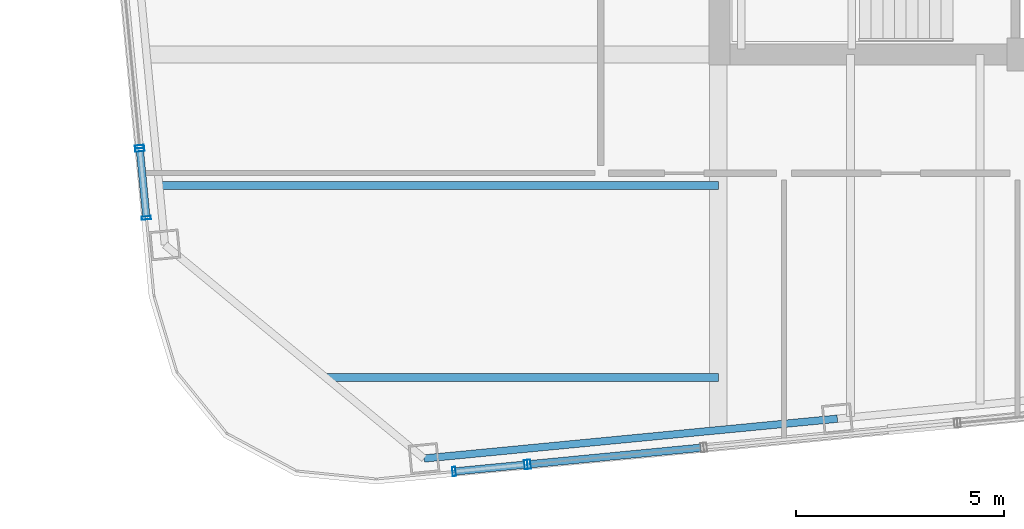
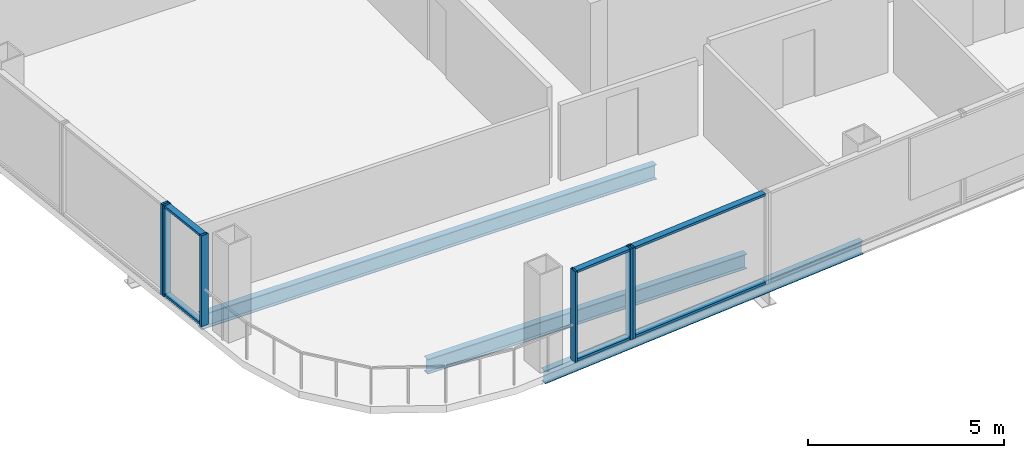
# One storey, part 2 of 22: 12 members, 3 beams, 4 elements without a shape of their own.
"""IFC4 building model written with IfcOpenShell, lengths in metres."""

from ifc_helpers import new_model, si_unit, direction, frame, origin, origin_2d, place, context, subcontext, project, spatial, hollow_rectangle, i_section, extrude, material, layer, layer_set, material_profile, profile_set, type_object, element, aggregate, save


model = new_model("IFC4")

# Units and contexts
model_context = context("Model", 3, precision=1e-05, world=origin(), true_north=direction((0.0, 1.0)))
body_context = subcontext(model_context, "Body", "Model", "MODEL_VIEW")
ifc_project = project(units=[si_unit("LENGTHUNIT", "METRE"), si_unit("AREAUNIT", "SQUARE_METRE"), si_unit("VOLUMEUNIT", "CUBIC_METRE"), si_unit("PLANEANGLEUNIT", "RADIAN"), si_unit("MASSUNIT", "GRAM", prefix="KILO")], contexts=[model_context])

# Site, building, storey
site_placement = place(None, origin())
site = spatial("IfcSite", under=ifc_project, at=site_placement, CompositionType="ELEMENT")
building_placement = place(site_placement, origin())
building = spatial("IfcBuilding", under=site, at=building_placement, Name="Qhalaya Broadcast Tower", CompositionType="ELEMENT")
storey_placement = place(building_placement, frame((0.0, 0.0, 171.39990234375)))
storey = spatial("IfcBuildingStorey", under=building, at=storey_placement, Name="L50", CompositionType="ELEMENT", Elevation=171.39990234375)

# Beams
ifc_material_1 = material(Name="Structural Steel ASTM A992 Grade 50", Category="steel")
ifc_material_profile_1 = material_profile(ifc_material_1, i_section(OverallWidth=0.19189453125, OverallDepth=0.462890625, WebThickness=0.010498046875, FlangeThickness=0.017578125, at=origin_2d()), Name="W18X60")
ifc_profile_set_1 = profile_set([ifc_material_profile_1], Name="Structural Steel ASTM A992 Grade 50")
beam_type_1 = type_object("IfcBeamType", Name="Composite Floor Joist J03", PredefinedType="JOIST", material=ifc_profile_set_1)
beam_1_placement = place(storey_placement, frame((-18.7734375, -16.5, -0.451416015625), z_axis=(1.0, 0.0, 0.0), x_axis=(0.0, 1.0, 0.0)))
element("IfcBeam", 1, at=beam_1_placement, inside=storey, type_object=beam_type_1, Name="L50 J03 L50-JWE1W-1", PredefinedType="JOIST", context=body_context, shape_type="SweptSolid", body=[
    extrude(i_section(OverallWidth=0.19189453125, OverallDepth=0.462890625, WebThickness=0.010498046875, FlangeThickness=0.017578125, at=origin_2d()), origin(), (0.0, 0.0, 1.0), 9.3984375),
])
beam_2_placement = place(storey_placement, frame((-22.77880859375, -11.89990234375, -0.451416015625), z_axis=(1.0, 0.0, 0.0), x_axis=(0.0, 1.0, 0.0)))
element("IfcBeam", 2, at=beam_2_placement, inside=storey, type_object=beam_type_1, Name="L50 J03 L50-JWE2W-1", PredefinedType="JOIST", context=body_context, shape_type="SweptSolid", body=[
    extrude(i_section(OverallWidth=0.19189453125, OverallDepth=0.462890625, WebThickness=0.010498046875, FlangeThickness=0.017578125, at=origin_2d()), origin(), (0.0, 0.0, 1.0), 13.40380859375),
])

# Curtain wall, members
ifc_material_2 = material(Name="Fired Architectural Terracotta", Category="masonry")
ifc_layer_1 = layer(ifc_material_2, 0.219970703125, Name="Fired Architectural Terracotta")
ifc_layer_set_1 = layer_set([ifc_layer_1], Name="Fired Architectural Terracotta")
curtain_wall_type_1 = type_object("IfcCurtainWallType", Name="Block-Cap Unitised Terracotta Spandrel Wall CW-07", PredefinedType="NOTDEFINED", material=ifc_layer_set_1)
curtain_wall_1_placement = place(storey_placement, origin())
curtain_wall_1 = element("IfcCurtainWall", 3, at=curtain_wall_1_placement, inside=storey, type_object=curtain_wall_type_1, Name="L50 Unitised Curtain Wall L50-CW-S1", PredefinedType="NOTDEFINED")
ifc_material_3 = material(Name="Anodised Aluminium 6063-T6", Category="aluminium")
ifc_material_profile_2 = material_profile(ifc_material_3, hollow_rectangle(XDim=0.074951171875, YDim=0.219970703125, WallThickness=0.00390625, at=origin_2d()), Name="ALU-MUL 75x220x4")
ifc_profile_set_2 = profile_set([ifc_material_profile_2], Name="Anodised Aluminium 6063-T6")
member_type_1 = type_object("IfcMemberType", Name="Unitised Curtain-Wall Mullion M01", PredefinedType="MULLION", material=ifc_profile_set_2)
member_1_placement = place(storey_placement, frame((-15.72119140625, -18.76025390625, 0.0), z_axis=(0.0, 0.0, 1.0), x_axis=(0.995395744559, 0.095850465381, 0.0)))
member_1 = element("IfcMember", 4, at=member_1_placement, type_object=member_type_1, Name="CW-07 mullion 1", PredefinedType="MULLION", context=body_context, shape_type="SweptSolid", body=[
    extrude(hollow_rectangle(XDim=0.074951171875, YDim=0.219970703125, WallThickness=0.00390625, at=origin_2d()), origin(), (0.0, 0.0, 1.0), 2.830078125),
])
member_2_placement = place(storey_placement, frame((-13.99609375, -18.593994140625, 0.0), z_axis=(0.0, 0.0, 1.0), x_axis=(0.995395744559, 0.095850465381, 0.0)))
member_2 = element("IfcMember", 5, at=member_2_placement, type_object=member_type_1, Name="CW-07 mullion 2", PredefinedType="MULLION", context=body_context, shape_type="SweptSolid", body=[
    extrude(hollow_rectangle(XDim=0.074951171875, YDim=0.219970703125, WallThickness=0.00390625, at=origin_2d()), origin(), (0.0, 0.0, 1.0), 2.830078125),
])

# Curtain wall, member
ifc_material_4 = material(Name="Solar-Control Low-E Triple Glazing", Category="glass")
ifc_layer_2 = layer(ifc_material_4, 0.219970703125, Name="Solar-Control Low-E Triple Glazing")
ifc_layer_set_2 = layer_set([ifc_layer_2], Name="Solar-Control Low-E Triple Glazing")
curtain_wall_type_2 = type_object("IfcCurtainWallType", Name="Even-Block 4-Storey Double-Module Curtain Wall CW-03", PredefinedType="NOTDEFINED", material=ifc_layer_set_2)
curtain_wall_2_placement = place(storey_placement, origin())
curtain_wall_2 = element("IfcCurtainWall", 6, at=curtain_wall_2_placement, inside=storey, type_object=curtain_wall_type_2, Name="L50 Unitised Curtain Wall L50-CW-S2", PredefinedType="NOTDEFINED")
member_3_placement = place(storey_placement, frame((-13.92138671875, -18.5869140625, 0.0), z_axis=(0.0, 0.0, 1.0), x_axis=(0.995397122956, 0.095836149814, 0.0)))
member_3 = element("IfcMember", 7, at=member_3_placement, type_object=member_type_1, Name="CW-03 mullion 1", PredefinedType="MULLION", context=body_context, shape_type="SweptSolid", body=[
    extrude(hollow_rectangle(XDim=0.074951171875, YDim=0.219970703125, WallThickness=0.00390625, at=origin_2d()), origin(), (0.0, 0.0, 1.0), 2.830078125),
])

curtain_wall_3_placement = place(storey_placement, origin())
curtain_wall_3 = element("IfcCurtainWall", 8, at=curtain_wall_3_placement, inside=storey, type_object=curtain_wall_type_2, Name="L50 Unitised Curtain Wall L50-CW-W6", PredefinedType="NOTDEFINED")
member_4_placement = place(storey_placement, frame((-23.2705078125, -10.96533203125, 0.0), z_axis=(0.0, 0.0, 1.0), x_axis=(0.095832224028, -0.99539750092, 0.0)))
member_4 = element("IfcMember", 9, at=member_4_placement, type_object=member_type_1, Name="CW-03 mullion 2", PredefinedType="MULLION", context=body_context, shape_type="SweptSolid", body=[
    extrude(hollow_rectangle(XDim=0.074951171875, YDim=0.219970703125, WallThickness=0.00390625, at=origin_2d()), origin(), (0.0, 0.0, 1.0), 2.830078125),
])
aggregate(curtain_wall_3, [member_4])

# Curtain wall, members
curtain_wall_4_placement = place(storey_placement, origin())
curtain_wall_4 = element("IfcCurtainWall", 10, at=curtain_wall_4_placement, inside=storey, type_object=curtain_wall_type_1, Name="L50 Unitised Curtain Wall L50-CW-W7", PredefinedType="NOTDEFINED")
member_5_placement = place(storey_placement, frame((-23.263427734375, -11.0400390625, 0.0), z_axis=(0.0, 0.0, 1.0), x_axis=(0.095860176134, -0.995394809426, 0.0)))
member_5 = element("IfcMember", 11, at=member_5_placement, type_object=member_type_1, Name="CW-07 mullion 1", PredefinedType="MULLION", context=body_context, shape_type="SweptSolid", body=[
    extrude(hollow_rectangle(XDim=0.074951171875, YDim=0.219970703125, WallThickness=0.00390625, at=origin_2d()), origin(), (0.0, 0.0, 1.0), 2.830078125),
])
member_6_placement = place(storey_placement, frame((-23.106201171875, -12.67236328125, 0.0), z_axis=(0.0, 0.0, 1.0), x_axis=(0.095860176134, -0.995394809426, 0.0)))
member_6 = element("IfcMember", 12, at=member_6_placement, type_object=member_type_1, Name="CW-07 mullion 2", PredefinedType="MULLION", context=body_context, shape_type="SweptSolid", body=[
    extrude(hollow_rectangle(XDim=0.074951171875, YDim=0.219970703125, WallThickness=0.00390625, at=origin_2d()), origin(), (0.0, 0.0, 1.0), 2.830078125),
])

# Member
ifc_material_profile_3 = material_profile(ifc_material_3, hollow_rectangle(XDim=0.074951171875, YDim=0.179931640625, WallThickness=0.00390625, at=origin_2d()), Name="ALU-TRN 75x180x4")
ifc_profile_set_3 = profile_set([ifc_material_profile_3], Name="Anodised Aluminium 6063-T6")
member_type_2 = type_object("IfcMemberType", Name="Unitised Curtain-Wall Transom T01", PredefinedType="USERDEFINED", material=ifc_profile_set_3)
member_7_placement = place(storey_placement, frame((-15.683837890625, -18.756591796875, 0.03759765625), z_axis=(0.995394989671, 0.095858304479, 0.0), x_axis=(0.0, 0.0, 1.0)))
member_7 = element("IfcMember", 13, at=member_7_placement, type_object=member_type_2, Name="CW-07 transom 1.1", ObjectType="TRANSOM", PredefinedType="USERDEFINED", context=body_context, shape_type="SweptSolid", body=[
    extrude(hollow_rectangle(XDim=0.074951171875, YDim=0.179931640625, WallThickness=0.00390625, at=origin_2d()), origin(), (0.0, 0.0, 1.0), 1.657958984375),
])

member_8_placement = place(storey_placement, frame((-15.683837890625, -18.756591796875, 2.79248046875), z_axis=(0.995394989671, 0.095858304479, 0.0), x_axis=(0.0, 0.0, 1.0)))
member_8 = element("IfcMember", 14, at=member_8_placement, type_object=member_type_2, Name="CW-07 transom 1.2", ObjectType="TRANSOM", PredefinedType="USERDEFINED", context=body_context, shape_type="SweptSolid", body=[
    extrude(hollow_rectangle(XDim=0.074951171875, YDim=0.179931640625, WallThickness=0.00390625, at=origin_2d()), origin(), (0.0, 0.0, 1.0), 1.657958984375),
])

aggregate(curtain_wall_1, [member_1, member_2, member_7, member_8])

member_9_placement = place(storey_placement, frame((-13.884033203125, -18.583251953125, 0.03759765625), z_axis=(0.995399423143, 0.095812256032, 0.0), x_axis=(0.0, 0.0, 1.0)))
member_9 = element("IfcMember", 15, at=member_9_placement, type_object=member_type_2, Name="CW-03 transom 1.1", ObjectType="TRANSOM", PredefinedType="USERDEFINED", context=body_context, shape_type="SweptSolid", body=[
    extrude(hollow_rectangle(XDim=0.074951171875, YDim=0.179931640625, WallThickness=0.00390625, at=origin_2d()), origin(), (0.0, 0.0, 1.0), 4.099853515625),
])

member_10_placement = place(storey_placement, frame((-13.884033203125, -18.583251953125, 2.79248046875), z_axis=(0.995399423143, 0.095812256032, 0.0), x_axis=(0.0, 0.0, 1.0)))
member_10 = element("IfcMember", 16, at=member_10_placement, type_object=member_type_2, Name="CW-03 transom 1.2", ObjectType="TRANSOM", PredefinedType="USERDEFINED", context=body_context, shape_type="SweptSolid", body=[
    extrude(hollow_rectangle(XDim=0.074951171875, YDim=0.179931640625, WallThickness=0.00390625, at=origin_2d()), origin(), (0.0, 0.0, 1.0), 4.099853515625),
])

aggregate(curtain_wall_2, [member_3, member_9, member_10])

member_11_placement = place(storey_placement, frame((-23.259765625, -11.077392578125, 0.03759765625), z_axis=(0.095780772015, -0.995402453138, 0.0), x_axis=(0.0, 0.0, 1.0)))
member_11 = element("IfcMember", 17, at=member_11_placement, type_object=member_type_2, Name="CW-07 transom 1.1", ObjectType="TRANSOM", PredefinedType="USERDEFINED", context=body_context, shape_type="SweptSolid", body=[
    extrude(hollow_rectangle(XDim=0.074951171875, YDim=0.179931640625, WallThickness=0.00390625, at=origin_2d()), origin(), (0.0, 0.0, 1.0), 1.56494140625),
])

member_12_placement = place(storey_placement, frame((-23.259765625, -11.077392578125, 2.79248046875), z_axis=(0.095780772015, -0.995402453138, 0.0), x_axis=(0.0, 0.0, 1.0)))
member_12 = element("IfcMember", 18, at=member_12_placement, type_object=member_type_2, Name="CW-07 transom 1.2", ObjectType="TRANSOM", PredefinedType="USERDEFINED", context=body_context, shape_type="SweptSolid", body=[
    extrude(hollow_rectangle(XDim=0.074951171875, YDim=0.179931640625, WallThickness=0.00390625, at=origin_2d()), origin(), (0.0, 0.0, 1.0), 1.56494140625),
])

aggregate(curtain_wall_4, [member_5, member_6, member_11, member_12])

# Beam
ifc_material_profile_4 = material_profile(ifc_material_1, i_section(OverallWidth=0.177978515625, OverallDepth=0.406005859375, WebThickness=0.0078125, FlangeThickness=0.0126953125, at=origin_2d()), Name="W16X40")
ifc_profile_set_4 = profile_set([ifc_material_profile_4], Name="Structural Steel ASTM A992 Grade 50")
beam_type_2 = type_object("IfcBeamType", Name="Upper Perimeter Spandrel Beam SP2", PredefinedType="SPANDREL", material=ifc_profile_set_4)
beam_3_placement = place(storey_placement, frame((-16.44189453125, -18.44775390625, -0.4228515625), z_axis=(0.995397846936, 0.09582862993, 0.0), x_axis=(-0.09582862993, 0.995397846936, 0.0)))
element("IfcBeam", 19, at=beam_3_placement, inside=storey, type_object=beam_type_2, Name="L50 SP2 L50-SPR-01", PredefinedType="SPANDREL", context=body_context, shape_type="SweptSolid", body=[
    extrude(i_section(OverallWidth=0.177978515625, OverallDepth=0.406005859375, WebThickness=0.0078125, FlangeThickness=0.0126953125, at=origin_2d()), origin(), (0.0, 0.0, 1.0), 9.966552734375),
])

save(model, "model.ifc")
